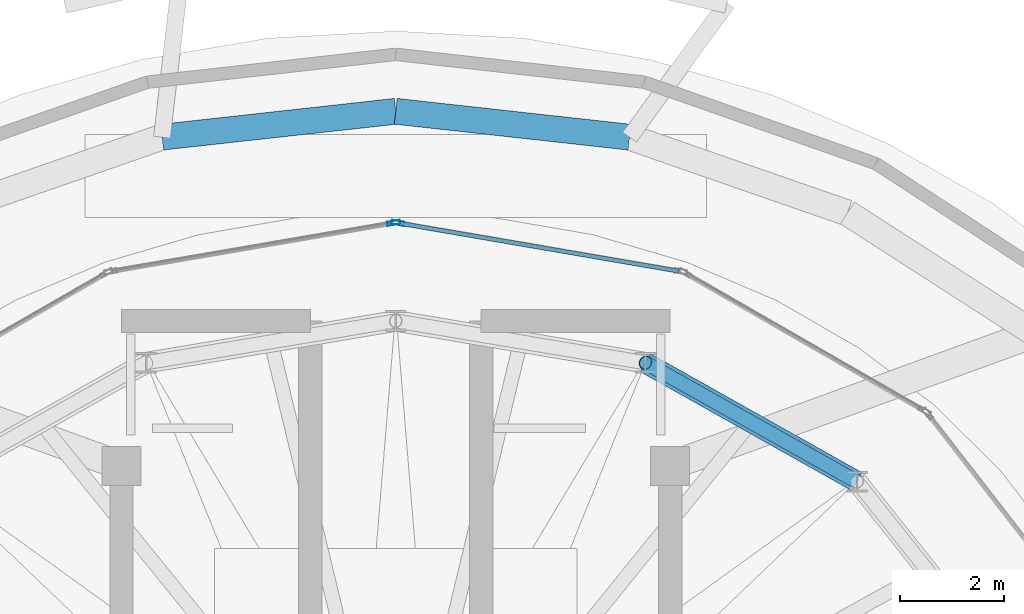
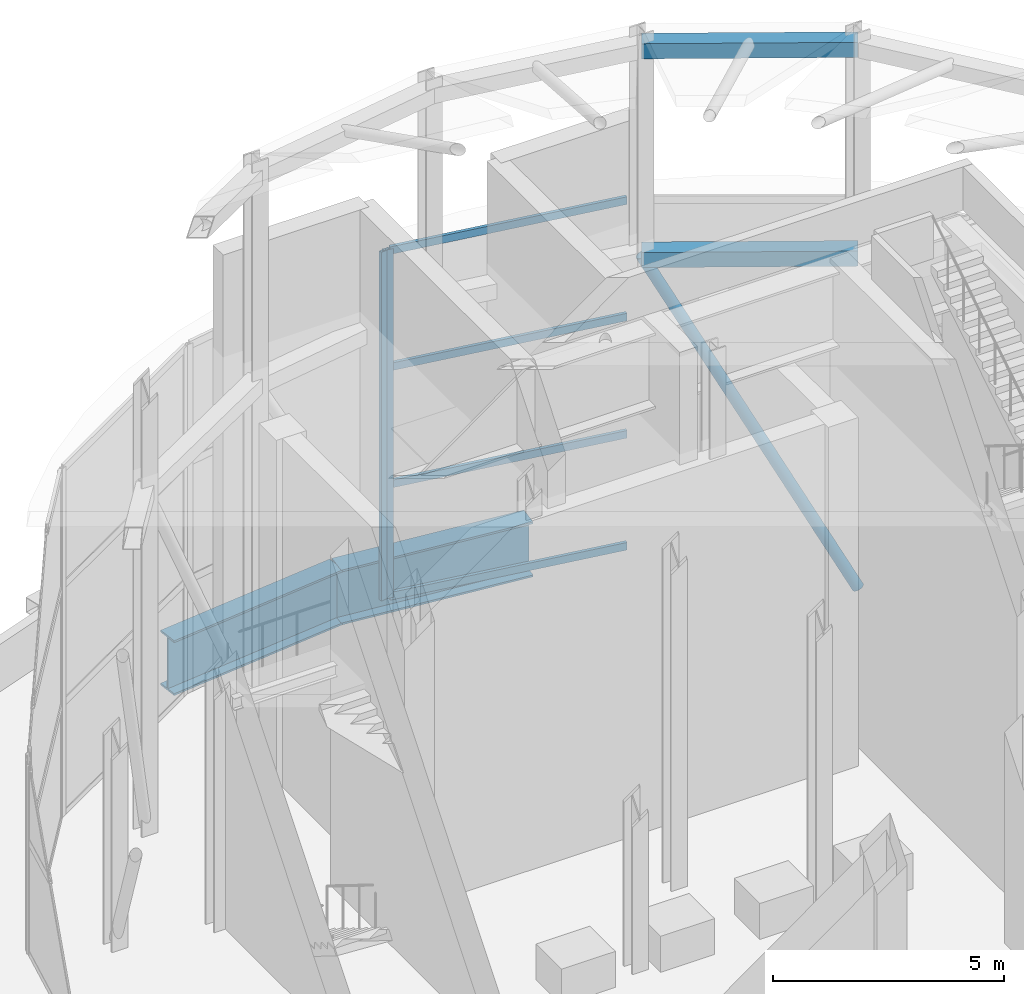
# One storey, part 14 of 22: 7 members, 4 beams, 2 elements without a shape of their own.
"""IFC4 building model written with IfcOpenShell, lengths in metres."""

from ifc_helpers import new_model, si_unit, direction, frame, origin, origin_2d, place, context, subcontext, project, spatial, hollow_rectangle, hollow_circle, i_section, extrude, material, layer, layer_set, material_profile, profile_set, type_object, element, aggregate, save


model = new_model("IFC4")

# Units and contexts
model_context = context("Model", 3, precision=1e-05, world=origin(), true_north=direction((0.0, 1.0)))
body_context = subcontext(model_context, "Body", "Model", "MODEL_VIEW")
ifc_project = project(units=[si_unit("LENGTHUNIT", "METRE"), si_unit("AREAUNIT", "SQUARE_METRE"), si_unit("VOLUMEUNIT", "CUBIC_METRE"), si_unit("PLANEANGLEUNIT", "RADIAN"), si_unit("MASSUNIT", "GRAM", prefix="KILO")], contexts=[model_context])

# Site, building, storey
site_placement = place(None, origin())
site = spatial("IfcSite", under=ifc_project, at=site_placement, CompositionType="ELEMENT")
building_placement = place(site_placement, origin())
building = spatial("IfcBuilding", under=site, at=building_placement, Name="Nuhasar Tower", CompositionType="ELEMENT")
storey_placement = place(building_placement, frame((0.0, 0.0, 313.39990234375)))
storey = spatial("IfcBuildingStorey", under=building, at=storey_placement, Name="Roof Drum", CompositionType="ELEMENT", Elevation=313.39990234375)

# Beams
ifc_material_1 = material(Name="Steel S355", Category="steel")
ifc_material_profile_1 = material_profile(ifc_material_1, hollow_rectangle(XDim=0.39990234375, YDim=0.39990234375, WallThickness=0.01611328125, at=origin_2d()), Name="HSS400X400X16")
ifc_profile_set_1 = profile_set([ifc_material_profile_1], Name="Steel S355")
beam_type_1 = type_object("IfcBeamType", Name="BM-CRN-HSS400", PredefinedType="SPANDREL", material=ifc_profile_set_1)
for number, where, z_axis, x_axis, name in (
    (1, (47.909912109375, 34.294921875, 9.02001953125), (-0.87169785944, 0.490043714221, 0.0), (-0.490043714221, -0.87169785944, 0.0), "Crown Drum Eave Ring Beam 03"),
    (2, (47.909912109375, 34.294921875, 14.5400390625), (-0.87169785944, 0.490043714221, 0.0), (-0.490043714221, -0.87169785944, 0.0), "Crown Drum Top Ring Beam 03"),
):
    element("IfcBeam", number, at=place(storey_placement, frame(where, z_axis=z_axis, x_axis=x_axis)), inside=storey, type_object=beam_type_1, Name=name, PredefinedType="SPANDREL", context=body_context, shape_type="SweptSolid", body=[
        extrude(hollow_rectangle(XDim=0.39990234375, YDim=0.39990234375, WallThickness=0.01611328125, at=origin_2d()), origin(), (0.0, 0.0, 1.0), 4.689453125),
    ])
ifc_material_2 = material(Name="Steel S460", Category="steel")
ifc_material_profile_2 = material_profile(ifc_material_2, i_section(OverallWidth=0.5, OverallDepth=1.449951171875, WebThickness=0.028076171875, FlangeThickness=0.050048828125, at=origin_2d()), Name="PG1450X500")
ifc_profile_set_2 = profile_set([ifc_material_profile_2], Name="Steel S460")
beam_type_2 = type_object("IfcBeamType", Name="BM-XFER-PG1450", PredefinedType="USERDEFINED", material=ifc_profile_set_2)
for number, where, z_axis, x_axis, name in (
    (3, (43.51611328125, 40.950927734375, -1.14501953125), (-0.993950391063, 0.10982995996, 0.0), (-0.10982995996, -0.993950391063, 0.0), "Roof Drum Outer Setback Spandrel 06"),
    (4, (39.0, 41.449951171875, -1.14501953125), (-0.993950391063, -0.10982995996, 0.0), (0.10982995996, -0.993950391063, 0.0), "Roof Drum Outer Setback Spandrel 07"),
):
    element("IfcBeam", number, at=place(storey_placement, frame(where, z_axis=z_axis, x_axis=x_axis)), inside=storey, type_object=beam_type_2, Name=name, ObjectType="GIRDER", PredefinedType="USERDEFINED", context=body_context, shape_type="SweptSolid", body=[
        extrude(i_section(OverallWidth=0.5, OverallDepth=1.449951171875, WebThickness=0.028076171875, FlangeThickness=0.050048828125, at=origin_2d()), origin(), (0.0, 0.0, 1.0), 4.543701171875),
    ])

# Member
ifc_material_profile_3 = material_profile(ifc_material_1, hollow_circle(Radius=0.136474609375, WallThickness=0.0126953125, at=origin_2d()), Name="HSS273.1X12.7")
ifc_profile_set_3 = profile_set([ifc_material_profile_3], Name="Steel S355")
member_type_1 = type_object("IfcMemberType", Name="CRN-DIAG-273", PredefinedType="BRACE", material=ifc_profile_set_3)
member_1_placement = place(storey_placement, frame((47.909912109375, 34.294921875, 0.2001953125), z_axis=(-0.409236617438, 0.230061172954, 0.882948043572), x_axis=(-0.490043714221, -0.87169785944, 0.0)))
element("IfcMember", 5, at=member_1_placement, inside=storey, type_object=member_type_1, Name="Crown Drum Frame Brace 03", PredefinedType="BRACE", context=body_context, shape_type="SweptSolid", body=[
    extrude(hollow_circle(Radius=0.136474609375, WallThickness=0.0126953125, at=origin_2d()), origin(), (0.0, 0.0, 1.0), 9.989013671875),
])

# Curtain wall, member
ifc_material_3 = material(Name="Aluminium 6063-T6", Category="aluminium")
ifc_layer = layer(ifc_material_3, 0.219970703125)
ifc_layer_set = layer_set([ifc_layer], Name="Aluminium 6063-T6")
curtain_wall_type = type_object("IfcCurtainWallType", Name="CW-CROWN", PredefinedType="NOTDEFINED", material=ifc_layer_set)
curtain_wall_1_placement = place(storey_placement, origin())
curtain_wall_1 = element("IfcCurtainWall", 6, at=curtain_wall_1_placement, inside=storey, type_object=curtain_wall_type, Name="Crown Lantern Curtain Wall 04", PredefinedType="NOTDEFINED")
ifc_material_profile_4 = material_profile(ifc_material_3, hollow_rectangle(XDim=0.080078125, YDim=0.239990234375, WallThickness=0.0048828125, at=origin_2d()), Name="CWM-7")
ifc_profile_set_4 = profile_set([ifc_material_profile_4], Name="Aluminium 6063-T6")
member_type_2 = type_object("IfcMemberType", Name="CW-MUL-S7", PredefinedType="MULLION", material=ifc_profile_set_4)
member_2_placement = place(storey_placement, frame((39.039306640625, 39.293212890625, 0.0), z_axis=(0.0, 0.0, 1.0), x_axis=(-0.169091991353, -0.985600273164, 0.0)))
member_2 = element("IfcMember", 7, at=member_2_placement, type_object=member_type_2, Name="CW-CR mullion 2", PredefinedType="MULLION", context=body_context, shape_type="SweptSolid", body=[
    extrude(hollow_rectangle(XDim=0.080078125, YDim=0.239990234375, WallThickness=0.0048828125, at=origin_2d()), origin(), (0.0, 0.0, 1.0), 9.22021484375),
])

curtain_wall_2_placement = place(storey_placement, origin())
curtain_wall_2 = element("IfcCurtainWall", 8, at=curtain_wall_2_placement, inside=storey, type_object=curtain_wall_type, Name="Crown Lantern Curtain Wall 05", PredefinedType="NOTDEFINED")
member_3_placement = place(storey_placement, frame((38.960693359375, 39.293212890625, 0.0), z_axis=(0.0, 0.0, 1.0), x_axis=(0.169091991353, -0.985600273164, 0.0)))
member_3 = element("IfcMember", 9, at=member_3_placement, type_object=member_type_2, Name="CW-CR mullion 1", PredefinedType="MULLION", context=body_context, shape_type="SweptSolid", body=[
    extrude(hollow_rectangle(XDim=0.080078125, YDim=0.239990234375, WallThickness=0.0048828125, at=origin_2d()), origin(), (0.0, 0.0, 1.0), 9.22021484375),
])
aggregate(curtain_wall_2, [member_3])

# Member
ifc_material_profile_5 = material_profile(ifc_material_3, hollow_rectangle(XDim=0.080078125, YDim=0.199951171875, WallThickness=0.00439453125, at=origin_2d()), Name="CWT-7")
ifc_profile_set_5 = profile_set([ifc_material_profile_5], Name="Aluminium 6063-T6")
member_type_3 = type_object("IfcMemberType", Name="CW-TRN-S7", PredefinedType="USERDEFINED", material=ifc_profile_set_5)
member_4_placement = place(storey_placement, frame((44.47021484375, 38.361572265625, 0.0400390625), z_axis=(-0.98560483573, 0.169065394998, 0.0), x_axis=(-0.169065394998, -0.98560483573, 0.0)))
member_4 = element("IfcMember", 10, at=member_4_placement, type_object=member_type_3, Name="CW-CR transom 1.1", ObjectType="TRANSOM", PredefinedType="USERDEFINED", context=body_context, shape_type="SweptSolid", body=[
    extrude(hollow_rectangle(XDim=0.080078125, YDim=0.199951171875, WallThickness=0.00439453125, at=origin_2d()), origin(), (0.0, 0.0, 1.0), 5.47021484375),
])

member_5_placement = place(storey_placement, frame((44.47021484375, 38.361572265625, 3.0), z_axis=(-0.98560483573, 0.169065394998, 0.0), x_axis=(-0.169065394998, -0.98560483573, 0.0)))
member_5 = element("IfcMember", 11, at=member_5_placement, type_object=member_type_3, Name="CW-CR transom 1.2", ObjectType="TRANSOM", PredefinedType="USERDEFINED", context=body_context, shape_type="SweptSolid", body=[
    extrude(hollow_rectangle(XDim=0.080078125, YDim=0.199951171875, WallThickness=0.00439453125, at=origin_2d()), origin(), (0.0, 0.0, 1.0), 5.47021484375),
])

member_6_placement = place(storey_placement, frame((44.47021484375, 38.361572265625, 6.10009765625), z_axis=(-0.98560483573, 0.169065394998, 0.0), x_axis=(-0.169065394998, -0.98560483573, 0.0)))
member_6 = element("IfcMember", 12, at=member_6_placement, type_object=member_type_3, Name="CW-CR transom 1.3", ObjectType="TRANSOM", PredefinedType="USERDEFINED", context=body_context, shape_type="SweptSolid", body=[
    extrude(hollow_rectangle(XDim=0.080078125, YDim=0.199951171875, WallThickness=0.00439453125, at=origin_2d()), origin(), (0.0, 0.0, 1.0), 5.47021484375),
])

member_7_placement = place(storey_placement, frame((44.47021484375, 38.361572265625, 9.18017578125), z_axis=(-0.98560483573, 0.169065394998, 0.0), x_axis=(-0.169065394998, -0.98560483573, 0.0)))
member_7 = element("IfcMember", 13, at=member_7_placement, type_object=member_type_3, Name="CW-CR transom 1.4", ObjectType="TRANSOM", PredefinedType="USERDEFINED", context=body_context, shape_type="SweptSolid", body=[
    extrude(hollow_rectangle(XDim=0.080078125, YDim=0.199951171875, WallThickness=0.00439453125, at=origin_2d()), origin(), (0.0, 0.0, 1.0), 5.47021484375),
])

aggregate(curtain_wall_1, [member_2, member_4, member_5, member_6, member_7])

save(model, "model.ifc")
